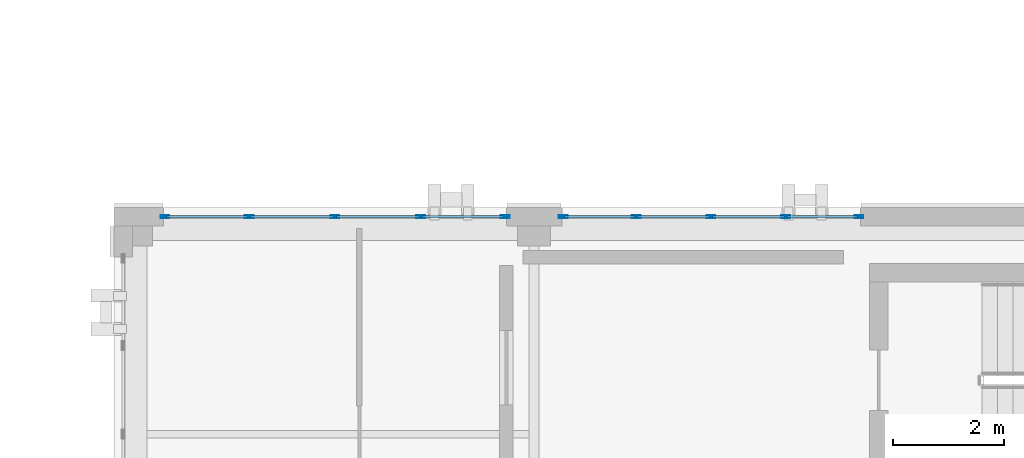
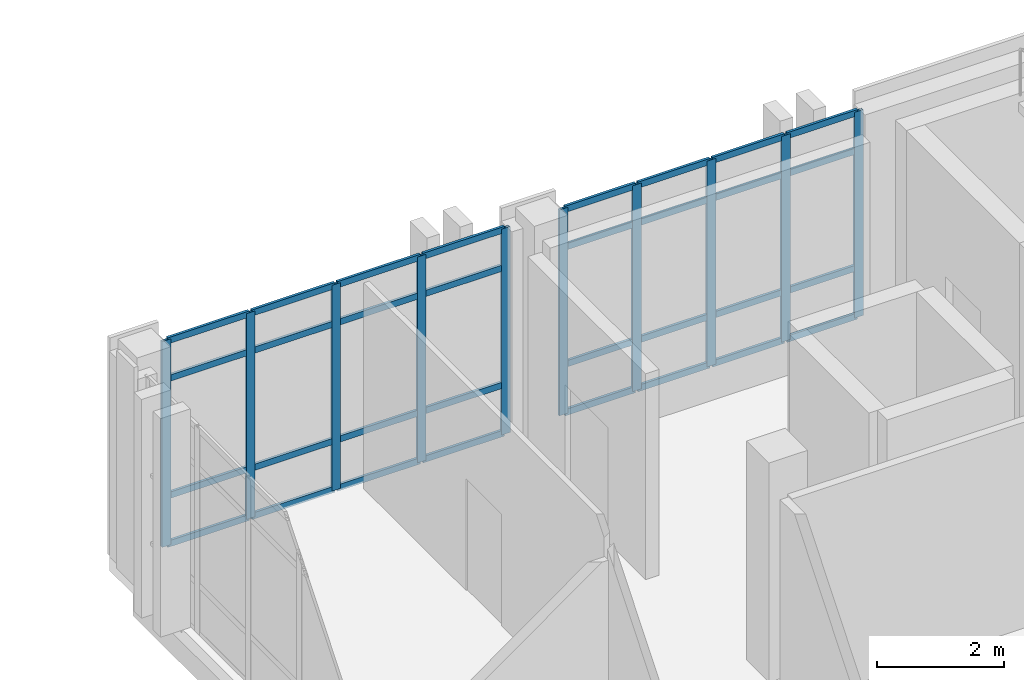
# One storey, part 13 of 22: 42 members, 2 elements without a shape of their own.
"""IFC4 building model written with IfcOpenShell, lengths in metres."""

from ifc_helpers import new_model, si_unit, direction, frame, origin, origin_2d, place, context, subcontext, project, spatial, hollow_rectangle, extrude, material, layer, layer_set, material_profile, profile_set, type_object, element, aggregate, save


model = new_model("IFC4")

# Units and contexts
model_context = context("Model", 3, precision=1e-05, world=origin(), true_north=direction((0.0, 1.0)))
body_context = subcontext(model_context, "Body", "Model", "MODEL_VIEW")
ifc_project = project(units=[si_unit("LENGTHUNIT", "METRE"), si_unit("AREAUNIT", "SQUARE_METRE"), si_unit("VOLUMEUNIT", "CUBIC_METRE"), si_unit("PLANEANGLEUNIT", "RADIAN"), si_unit("MASSUNIT", "GRAM", prefix="KILO")], contexts=[model_context])

# Site, building, storey
site_placement = place(None, origin())
site = spatial("IfcSite", under=ifc_project, at=site_placement, CompositionType="ELEMENT")
building_placement = place(site_placement, origin())
building = spatial("IfcBuilding", under=site, at=building_placement, Name="Qalavern Law Courts", CompositionType="ELEMENT")
storey_placement = place(building_placement, frame((0.0, 0.0, 35.39990234375)))
storey = spatial("IfcBuildingStorey", under=building, at=storey_placement, Name="L08", CompositionType="ELEMENT", Elevation=35.39990234375)

# Curtain wall, members
ifc_material_1 = material(Name="Anodised aluminium and insulated glazing", Category="aluminium")
ifc_layer = layer(ifc_material_1, 0.159912109375)
ifc_layer_set = layer_set([ifc_layer], Name="Anodised aluminium and insulated glazing")
curtain_wall_type = type_object("IfcCurtainWallType", Name="ENV-CW-CHAMB", PredefinedType="USERDEFINED", material=ifc_layer_set)
curtain_wall_1_placement = place(storey_placement, origin())
curtain_wall_1 = element("IfcCurtainWall", 1, at=curtain_wall_1_placement, inside=storey, type_object=curtain_wall_type, Name="V4 unitised curtain wall L08 north 1", ObjectType="UNITISED CURTAIN WALL", PredefinedType="USERDEFINED")
ifc_material_2 = material(Name="Anodised aluminium", Category="aluminium")
ifc_material_profile_1 = material_profile(ifc_material_2, hollow_rectangle(XDim=0.048095703125, YDim=0.159912109375, WallThickness=0.00390625, at=origin_2d()), Name="ALU MULLION 48x160")
ifc_profile_set_1 = profile_set([ifc_material_profile_1], Name="Anodised aluminium")
member_type_1 = type_object("IfcMemberType", Name="ENV-CWM-48x160", PredefinedType="MULLION", material=ifc_profile_set_1)
member_1_placement = place(storey_placement, frame((97.676025390625, 73.030029296875, 0.0), z_axis=(0.0, 0.0, 1.0), x_axis=(0.0, -1.0, 0.0)))
member_1 = element("IfcMember", 2, at=member_1_placement, type_object=member_type_1, Name="CW-04 mullion 1", PredefinedType="MULLION", context=body_context, shape_type="SweptSolid", body=[
    extrude(hollow_rectangle(XDim=0.048095703125, YDim=0.159912109375, WallThickness=0.00390625, at=origin_2d()), origin(), (0.0, 0.0, 1.0), 3.945068359375),
])
member_2_placement = place(storey_placement, frame((96.35009765625, 73.030029296875, 0.0), z_axis=(0.0, 0.0, 1.0), x_axis=(0.0, -1.0, 0.0)))
member_2 = element("IfcMember", 3, at=member_2_placement, type_object=member_type_1, Name="CW-04 mullion 2", PredefinedType="MULLION", context=body_context, shape_type="SweptSolid", body=[
    extrude(hollow_rectangle(XDim=0.048095703125, YDim=0.159912109375, WallThickness=0.00390625, at=origin_2d()), origin(), (0.0, 0.0, 1.0), 3.945068359375),
])
member_3_placement = place(storey_placement, frame((95.0, 73.030029296875, 0.0), z_axis=(0.0, 0.0, 1.0), x_axis=(0.0, -1.0, 0.0)))
member_3 = element("IfcMember", 4, at=member_3_placement, type_object=member_type_1, Name="CW-04 mullion 3", PredefinedType="MULLION", context=body_context, shape_type="SweptSolid", body=[
    extrude(hollow_rectangle(XDim=0.048095703125, YDim=0.159912109375, WallThickness=0.00390625, at=origin_2d()), origin(), (0.0, 0.0, 1.0), 3.945068359375),
])
member_4_placement = place(storey_placement, frame((93.64990234375, 73.030029296875, 0.0), z_axis=(0.0, 0.0, 1.0), x_axis=(0.0, -1.0, 0.0)))
member_4 = element("IfcMember", 5, at=member_4_placement, type_object=member_type_1, Name="CW-04 mullion 4", PredefinedType="MULLION", context=body_context, shape_type="SweptSolid", body=[
    extrude(hollow_rectangle(XDim=0.048095703125, YDim=0.159912109375, WallThickness=0.00390625, at=origin_2d()), origin(), (0.0, 0.0, 1.0), 3.945068359375),
])
member_5_placement = place(storey_placement, frame((92.323974609375, 73.030029296875, 0.0), z_axis=(0.0, 0.0, 1.0), x_axis=(0.0, -1.0, 0.0)))
member_5 = element("IfcMember", 6, at=member_5_placement, type_object=member_type_1, Name="CW-04 mullion 5", PredefinedType="MULLION", context=body_context, shape_type="SweptSolid", body=[
    extrude(hollow_rectangle(XDim=0.048095703125, YDim=0.159912109375, WallThickness=0.00390625, at=origin_2d()), origin(), (0.0, 0.0, 1.0), 3.945068359375),
])

curtain_wall_2_placement = place(storey_placement, origin())
curtain_wall_2 = element("IfcCurtainWall", 7, at=curtain_wall_2_placement, inside=storey, type_object=curtain_wall_type, Name="V4 unitised curtain wall L08 north 2", ObjectType="UNITISED CURTAIN WALL", PredefinedType="USERDEFINED")
member_6_placement = place(storey_placement, frame((91.27587890625, 73.030029296875, 0.0), z_axis=(0.0, 0.0, 1.0), x_axis=(0.0, -1.0, 0.0)))
member_6 = element("IfcMember", 8, at=member_6_placement, type_object=member_type_1, Name="CW-04 mullion 1", PredefinedType="MULLION", context=body_context, shape_type="SweptSolid", body=[
    extrude(hollow_rectangle(XDim=0.048095703125, YDim=0.159912109375, WallThickness=0.00390625, at=origin_2d()), origin(), (0.0, 0.0, 1.0), 3.945068359375),
])
member_7_placement = place(storey_placement, frame((89.75, 73.030029296875, 0.0), z_axis=(0.0, 0.0, 1.0), x_axis=(0.0, -1.0, 0.0)))
member_7 = element("IfcMember", 9, at=member_7_placement, type_object=member_type_1, Name="CW-04 mullion 2", PredefinedType="MULLION", context=body_context, shape_type="SweptSolid", body=[
    extrude(hollow_rectangle(XDim=0.048095703125, YDim=0.159912109375, WallThickness=0.00390625, at=origin_2d()), origin(), (0.0, 0.0, 1.0), 3.945068359375),
])
member_8_placement = place(storey_placement, frame((88.199951171875, 73.030029296875, 0.0), z_axis=(0.0, 0.0, 1.0), x_axis=(0.0, -1.0, 0.0)))
member_8 = element("IfcMember", 10, at=member_8_placement, type_object=member_type_1, Name="CW-04 mullion 3", PredefinedType="MULLION", context=body_context, shape_type="SweptSolid", body=[
    extrude(hollow_rectangle(XDim=0.048095703125, YDim=0.159912109375, WallThickness=0.00390625, at=origin_2d()), origin(), (0.0, 0.0, 1.0), 3.945068359375),
])
member_9_placement = place(storey_placement, frame((86.64990234375, 73.030029296875, 0.0), z_axis=(0.0, 0.0, 1.0), x_axis=(0.0, -1.0, 0.0)))
member_9 = element("IfcMember", 11, at=member_9_placement, type_object=member_type_1, Name="CW-04 mullion 4", PredefinedType="MULLION", context=body_context, shape_type="SweptSolid", body=[
    extrude(hollow_rectangle(XDim=0.048095703125, YDim=0.159912109375, WallThickness=0.00390625, at=origin_2d()), origin(), (0.0, 0.0, 1.0), 3.945068359375),
])
member_10_placement = place(storey_placement, frame((85.1240234375, 73.030029296875, 0.0), z_axis=(0.0, 0.0, 1.0), x_axis=(0.0, -1.0, 0.0)))
member_10 = element("IfcMember", 12, at=member_10_placement, type_object=member_type_1, Name="CW-04 mullion 5", PredefinedType="MULLION", context=body_context, shape_type="SweptSolid", body=[
    extrude(hollow_rectangle(XDim=0.048095703125, YDim=0.159912109375, WallThickness=0.00390625, at=origin_2d()), origin(), (0.0, 0.0, 1.0), 3.945068359375),
])

# Member
ifc_material_profile_2 = material_profile(ifc_material_2, hollow_rectangle(XDim=0.048095703125, YDim=0.1201171875, WallThickness=0.00390625, at=origin_2d()), Name="ALU TRANSOM 48x120")
ifc_profile_set_2 = profile_set([ifc_material_profile_2], Name="Anodised aluminium")
member_type_2 = type_object("IfcMemberType", Name="ENV-CWT-48x120", PredefinedType="USERDEFINED", material=ifc_profile_set_2)
member_11_placement = place(storey_placement, frame((97.652099609375, 73.030029296875, 0.024169921875), z_axis=(-1.0, 0.0, 0.0), x_axis=(0.0, -1.0, 0.0)))
member_11 = element("IfcMember", 13, at=member_11_placement, type_object=member_type_2, Name="CW-04 transom 1.1", ObjectType="TRANSOM", PredefinedType="USERDEFINED", context=body_context, shape_type="SweptSolid", body=[
    extrude(hollow_rectangle(XDim=0.048095703125, YDim=0.1201171875, WallThickness=0.00390625, at=origin_2d()), origin(), (0.0, 0.0, 1.0), 1.278076171875),
])

member_12_placement = place(storey_placement, frame((97.652099609375, 73.030029296875, 0.9501953125), z_axis=(-1.0, 0.0, 0.0), x_axis=(0.0, -1.0, 0.0)))
member_12 = element("IfcMember", 14, at=member_12_placement, type_object=member_type_2, Name="CW-04 transom 1.2", ObjectType="TRANSOM", PredefinedType="USERDEFINED", context=body_context, shape_type="SweptSolid", body=[
    extrude(hollow_rectangle(XDim=0.048095703125, YDim=0.1201171875, WallThickness=0.00390625, at=origin_2d()), origin(), (0.0, 0.0, 1.0), 1.278076171875),
])

member_13_placement = place(storey_placement, frame((97.652099609375, 73.030029296875, 3.195068359375), z_axis=(-1.0, 0.0, 0.0), x_axis=(0.0, -1.0, 0.0)))
member_13 = element("IfcMember", 15, at=member_13_placement, type_object=member_type_2, Name="CW-04 transom 1.3", ObjectType="TRANSOM", PredefinedType="USERDEFINED", context=body_context, shape_type="SweptSolid", body=[
    extrude(hollow_rectangle(XDim=0.048095703125, YDim=0.1201171875, WallThickness=0.00390625, at=origin_2d()), origin(), (0.0, 0.0, 1.0), 1.278076171875),
])

member_14_placement = place(storey_placement, frame((97.652099609375, 73.030029296875, 3.921142578125), z_axis=(-1.0, 0.0, 0.0), x_axis=(0.0, -1.0, 0.0)))
member_14 = element("IfcMember", 16, at=member_14_placement, type_object=member_type_2, Name="CW-04 transom 1.4", ObjectType="TRANSOM", PredefinedType="USERDEFINED", context=body_context, shape_type="SweptSolid", body=[
    extrude(hollow_rectangle(XDim=0.048095703125, YDim=0.1201171875, WallThickness=0.00390625, at=origin_2d()), origin(), (0.0, 0.0, 1.0), 1.278076171875),
])

member_15_placement = place(storey_placement, frame((96.325927734375, 73.030029296875, 0.024169921875), z_axis=(-1.0, 0.0, 0.0), x_axis=(0.0, -1.0, 0.0)))
member_15 = element("IfcMember", 17, at=member_15_placement, type_object=member_type_2, Name="CW-04 transom 2.1", ObjectType="TRANSOM", PredefinedType="USERDEFINED", context=body_context, shape_type="SweptSolid", body=[
    extrude(hollow_rectangle(XDim=0.048095703125, YDim=0.1201171875, WallThickness=0.00390625, at=origin_2d()), origin(), (0.0, 0.0, 1.0), 1.302001953125),
])

member_16_placement = place(storey_placement, frame((96.325927734375, 73.030029296875, 0.9501953125), z_axis=(-1.0, 0.0, 0.0), x_axis=(0.0, -1.0, 0.0)))
member_16 = element("IfcMember", 18, at=member_16_placement, type_object=member_type_2, Name="CW-04 transom 2.2", ObjectType="TRANSOM", PredefinedType="USERDEFINED", context=body_context, shape_type="SweptSolid", body=[
    extrude(hollow_rectangle(XDim=0.048095703125, YDim=0.1201171875, WallThickness=0.00390625, at=origin_2d()), origin(), (0.0, 0.0, 1.0), 1.302001953125),
])

member_17_placement = place(storey_placement, frame((96.325927734375, 73.030029296875, 3.195068359375), z_axis=(-1.0, 0.0, 0.0), x_axis=(0.0, -1.0, 0.0)))
member_17 = element("IfcMember", 19, at=member_17_placement, type_object=member_type_2, Name="CW-04 transom 2.3", ObjectType="TRANSOM", PredefinedType="USERDEFINED", context=body_context, shape_type="SweptSolid", body=[
    extrude(hollow_rectangle(XDim=0.048095703125, YDim=0.1201171875, WallThickness=0.00390625, at=origin_2d()), origin(), (0.0, 0.0, 1.0), 1.302001953125),
])

member_18_placement = place(storey_placement, frame((96.325927734375, 73.030029296875, 3.921142578125), z_axis=(-1.0, 0.0, 0.0), x_axis=(0.0, -1.0, 0.0)))
member_18 = element("IfcMember", 20, at=member_18_placement, type_object=member_type_2, Name="CW-04 transom 2.4", ObjectType="TRANSOM", PredefinedType="USERDEFINED", context=body_context, shape_type="SweptSolid", body=[
    extrude(hollow_rectangle(XDim=0.048095703125, YDim=0.1201171875, WallThickness=0.00390625, at=origin_2d()), origin(), (0.0, 0.0, 1.0), 1.302001953125),
])

member_19_placement = place(storey_placement, frame((94.97607421875, 73.030029296875, 0.024169921875), z_axis=(-1.0, 0.0, 0.0), x_axis=(0.0, -1.0, 0.0)))
member_19 = element("IfcMember", 21, at=member_19_placement, type_object=member_type_2, Name="CW-04 transom 3.1", ObjectType="TRANSOM", PredefinedType="USERDEFINED", context=body_context, shape_type="SweptSolid", body=[
    extrude(hollow_rectangle(XDim=0.048095703125, YDim=0.1201171875, WallThickness=0.00390625, at=origin_2d()), origin(), (0.0, 0.0, 1.0), 1.302001953125),
])

member_20_placement = place(storey_placement, frame((94.97607421875, 73.030029296875, 0.9501953125), z_axis=(-1.0, 0.0, 0.0), x_axis=(0.0, -1.0, 0.0)))
member_20 = element("IfcMember", 22, at=member_20_placement, type_object=member_type_2, Name="CW-04 transom 3.2", ObjectType="TRANSOM", PredefinedType="USERDEFINED", context=body_context, shape_type="SweptSolid", body=[
    extrude(hollow_rectangle(XDim=0.048095703125, YDim=0.1201171875, WallThickness=0.00390625, at=origin_2d()), origin(), (0.0, 0.0, 1.0), 1.302001953125),
])

member_21_placement = place(storey_placement, frame((94.97607421875, 73.030029296875, 3.195068359375), z_axis=(-1.0, 0.0, 0.0), x_axis=(0.0, -1.0, 0.0)))
member_21 = element("IfcMember", 23, at=member_21_placement, type_object=member_type_2, Name="CW-04 transom 3.3", ObjectType="TRANSOM", PredefinedType="USERDEFINED", context=body_context, shape_type="SweptSolid", body=[
    extrude(hollow_rectangle(XDim=0.048095703125, YDim=0.1201171875, WallThickness=0.00390625, at=origin_2d()), origin(), (0.0, 0.0, 1.0), 1.302001953125),
])

member_22_placement = place(storey_placement, frame((94.97607421875, 73.030029296875, 3.921142578125), z_axis=(-1.0, 0.0, 0.0), x_axis=(0.0, -1.0, 0.0)))
member_22 = element("IfcMember", 24, at=member_22_placement, type_object=member_type_2, Name="CW-04 transom 3.4", ObjectType="TRANSOM", PredefinedType="USERDEFINED", context=body_context, shape_type="SweptSolid", body=[
    extrude(hollow_rectangle(XDim=0.048095703125, YDim=0.1201171875, WallThickness=0.00390625, at=origin_2d()), origin(), (0.0, 0.0, 1.0), 1.302001953125),
])

member_23_placement = place(storey_placement, frame((93.6259765625, 73.030029296875, 0.024169921875), z_axis=(-1.0, 0.0, 0.0), x_axis=(0.0, -1.0, 0.0)))
member_23 = element("IfcMember", 25, at=member_23_placement, type_object=member_type_2, Name="CW-04 transom 4.1", ObjectType="TRANSOM", PredefinedType="USERDEFINED", context=body_context, shape_type="SweptSolid", body=[
    extrude(hollow_rectangle(XDim=0.048095703125, YDim=0.1201171875, WallThickness=0.00390625, at=origin_2d()), origin(), (0.0, 0.0, 1.0), 1.278076171875),
])

member_24_placement = place(storey_placement, frame((93.6259765625, 73.030029296875, 0.9501953125), z_axis=(-1.0, 0.0, 0.0), x_axis=(0.0, -1.0, 0.0)))
member_24 = element("IfcMember", 26, at=member_24_placement, type_object=member_type_2, Name="CW-04 transom 4.2", ObjectType="TRANSOM", PredefinedType="USERDEFINED", context=body_context, shape_type="SweptSolid", body=[
    extrude(hollow_rectangle(XDim=0.048095703125, YDim=0.1201171875, WallThickness=0.00390625, at=origin_2d()), origin(), (0.0, 0.0, 1.0), 1.278076171875),
])

member_25_placement = place(storey_placement, frame((93.6259765625, 73.030029296875, 3.195068359375), z_axis=(-1.0, 0.0, 0.0), x_axis=(0.0, -1.0, 0.0)))
member_25 = element("IfcMember", 27, at=member_25_placement, type_object=member_type_2, Name="CW-04 transom 4.3", ObjectType="TRANSOM", PredefinedType="USERDEFINED", context=body_context, shape_type="SweptSolid", body=[
    extrude(hollow_rectangle(XDim=0.048095703125, YDim=0.1201171875, WallThickness=0.00390625, at=origin_2d()), origin(), (0.0, 0.0, 1.0), 1.278076171875),
])

member_26_placement = place(storey_placement, frame((93.6259765625, 73.030029296875, 3.921142578125), z_axis=(-1.0, 0.0, 0.0), x_axis=(0.0, -1.0, 0.0)))
member_26 = element("IfcMember", 28, at=member_26_placement, type_object=member_type_2, Name="CW-04 transom 4.4", ObjectType="TRANSOM", PredefinedType="USERDEFINED", context=body_context, shape_type="SweptSolid", body=[
    extrude(hollow_rectangle(XDim=0.048095703125, YDim=0.1201171875, WallThickness=0.00390625, at=origin_2d()), origin(), (0.0, 0.0, 1.0), 1.278076171875),
])

aggregate(curtain_wall_1, [member_1, member_2, member_3, member_4, member_5, member_11, member_12, member_13, member_14, member_15, member_16, member_17, member_18, member_19, member_20, member_21, member_22, member_23, member_24, member_25, member_26])

member_27_placement = place(storey_placement, frame((91.251953125, 73.030029296875, 0.024169921875), z_axis=(-1.0, 0.0, 0.0), x_axis=(0.0, -1.0, 0.0)))
member_27 = element("IfcMember", 29, at=member_27_placement, type_object=member_type_2, Name="CW-04 transom 1.1", ObjectType="TRANSOM", PredefinedType="USERDEFINED", context=body_context, shape_type="SweptSolid", body=[
    extrude(hollow_rectangle(XDim=0.048095703125, YDim=0.1201171875, WallThickness=0.00390625, at=origin_2d()), origin(), (0.0, 0.0, 1.0), 1.47802734375),
])

member_28_placement = place(storey_placement, frame((91.251953125, 73.030029296875, 0.9501953125), z_axis=(-1.0, 0.0, 0.0), x_axis=(0.0, -1.0, 0.0)))
member_28 = element("IfcMember", 30, at=member_28_placement, type_object=member_type_2, Name="CW-04 transom 1.2", ObjectType="TRANSOM", PredefinedType="USERDEFINED", context=body_context, shape_type="SweptSolid", body=[
    extrude(hollow_rectangle(XDim=0.048095703125, YDim=0.1201171875, WallThickness=0.00390625, at=origin_2d()), origin(), (0.0, 0.0, 1.0), 1.47802734375),
])

member_29_placement = place(storey_placement, frame((91.251953125, 73.030029296875, 3.195068359375), z_axis=(-1.0, 0.0, 0.0), x_axis=(0.0, -1.0, 0.0)))
member_29 = element("IfcMember", 31, at=member_29_placement, type_object=member_type_2, Name="CW-04 transom 1.3", ObjectType="TRANSOM", PredefinedType="USERDEFINED", context=body_context, shape_type="SweptSolid", body=[
    extrude(hollow_rectangle(XDim=0.048095703125, YDim=0.1201171875, WallThickness=0.00390625, at=origin_2d()), origin(), (0.0, 0.0, 1.0), 1.47802734375),
])

member_30_placement = place(storey_placement, frame((91.251953125, 73.030029296875, 3.921142578125), z_axis=(-1.0, 0.0, 0.0), x_axis=(0.0, -1.0, 0.0)))
member_30 = element("IfcMember", 32, at=member_30_placement, type_object=member_type_2, Name="CW-04 transom 1.4", ObjectType="TRANSOM", PredefinedType="USERDEFINED", context=body_context, shape_type="SweptSolid", body=[
    extrude(hollow_rectangle(XDim=0.048095703125, YDim=0.1201171875, WallThickness=0.00390625, at=origin_2d()), origin(), (0.0, 0.0, 1.0), 1.47802734375),
])

member_31_placement = place(storey_placement, frame((89.72607421875, 73.030029296875, 0.024169921875), z_axis=(-1.0, 0.0, 0.0), x_axis=(0.0, -1.0, 0.0)))
member_31 = element("IfcMember", 33, at=member_31_placement, type_object=member_type_2, Name="CW-04 transom 2.1", ObjectType="TRANSOM", PredefinedType="USERDEFINED", context=body_context, shape_type="SweptSolid", body=[
    extrude(hollow_rectangle(XDim=0.048095703125, YDim=0.1201171875, WallThickness=0.00390625, at=origin_2d()), origin(), (0.0, 0.0, 1.0), 1.501953125),
])

member_32_placement = place(storey_placement, frame((89.72607421875, 73.030029296875, 0.9501953125), z_axis=(-1.0, 0.0, 0.0), x_axis=(0.0, -1.0, 0.0)))
member_32 = element("IfcMember", 34, at=member_32_placement, type_object=member_type_2, Name="CW-04 transom 2.2", ObjectType="TRANSOM", PredefinedType="USERDEFINED", context=body_context, shape_type="SweptSolid", body=[
    extrude(hollow_rectangle(XDim=0.048095703125, YDim=0.1201171875, WallThickness=0.00390625, at=origin_2d()), origin(), (0.0, 0.0, 1.0), 1.501953125),
])

member_33_placement = place(storey_placement, frame((89.72607421875, 73.030029296875, 3.195068359375), z_axis=(-1.0, 0.0, 0.0), x_axis=(0.0, -1.0, 0.0)))
member_33 = element("IfcMember", 35, at=member_33_placement, type_object=member_type_2, Name="CW-04 transom 2.3", ObjectType="TRANSOM", PredefinedType="USERDEFINED", context=body_context, shape_type="SweptSolid", body=[
    extrude(hollow_rectangle(XDim=0.048095703125, YDim=0.1201171875, WallThickness=0.00390625, at=origin_2d()), origin(), (0.0, 0.0, 1.0), 1.501953125),
])

member_34_placement = place(storey_placement, frame((89.72607421875, 73.030029296875, 3.921142578125), z_axis=(-1.0, 0.0, 0.0), x_axis=(0.0, -1.0, 0.0)))
member_34 = element("IfcMember", 36, at=member_34_placement, type_object=member_type_2, Name="CW-04 transom 2.4", ObjectType="TRANSOM", PredefinedType="USERDEFINED", context=body_context, shape_type="SweptSolid", body=[
    extrude(hollow_rectangle(XDim=0.048095703125, YDim=0.1201171875, WallThickness=0.00390625, at=origin_2d()), origin(), (0.0, 0.0, 1.0), 1.501953125),
])

member_35_placement = place(storey_placement, frame((88.176025390625, 73.030029296875, 0.024169921875), z_axis=(-1.0, 0.0, 0.0), x_axis=(0.0, -1.0, 0.0)))
member_35 = element("IfcMember", 37, at=member_35_placement, type_object=member_type_2, Name="CW-04 transom 3.1", ObjectType="TRANSOM", PredefinedType="USERDEFINED", context=body_context, shape_type="SweptSolid", body=[
    extrude(hollow_rectangle(XDim=0.048095703125, YDim=0.1201171875, WallThickness=0.00390625, at=origin_2d()), origin(), (0.0, 0.0, 1.0), 1.501953125),
])

member_36_placement = place(storey_placement, frame((88.176025390625, 73.030029296875, 0.9501953125), z_axis=(-1.0, 0.0, 0.0), x_axis=(0.0, -1.0, 0.0)))
member_36 = element("IfcMember", 38, at=member_36_placement, type_object=member_type_2, Name="CW-04 transom 3.2", ObjectType="TRANSOM", PredefinedType="USERDEFINED", context=body_context, shape_type="SweptSolid", body=[
    extrude(hollow_rectangle(XDim=0.048095703125, YDim=0.1201171875, WallThickness=0.00390625, at=origin_2d()), origin(), (0.0, 0.0, 1.0), 1.501953125),
])

member_37_placement = place(storey_placement, frame((88.176025390625, 73.030029296875, 3.195068359375), z_axis=(-1.0, 0.0, 0.0), x_axis=(0.0, -1.0, 0.0)))
member_37 = element("IfcMember", 39, at=member_37_placement, type_object=member_type_2, Name="CW-04 transom 3.3", ObjectType="TRANSOM", PredefinedType="USERDEFINED", context=body_context, shape_type="SweptSolid", body=[
    extrude(hollow_rectangle(XDim=0.048095703125, YDim=0.1201171875, WallThickness=0.00390625, at=origin_2d()), origin(), (0.0, 0.0, 1.0), 1.501953125),
])

member_38_placement = place(storey_placement, frame((88.176025390625, 73.030029296875, 3.921142578125), z_axis=(-1.0, 0.0, 0.0), x_axis=(0.0, -1.0, 0.0)))
member_38 = element("IfcMember", 40, at=member_38_placement, type_object=member_type_2, Name="CW-04 transom 3.4", ObjectType="TRANSOM", PredefinedType="USERDEFINED", context=body_context, shape_type="SweptSolid", body=[
    extrude(hollow_rectangle(XDim=0.048095703125, YDim=0.1201171875, WallThickness=0.00390625, at=origin_2d()), origin(), (0.0, 0.0, 1.0), 1.501953125),
])

member_39_placement = place(storey_placement, frame((86.6259765625, 73.030029296875, 0.024169921875), z_axis=(-1.0, 0.0, 0.0), x_axis=(0.0, -1.0, 0.0)))
member_39 = element("IfcMember", 41, at=member_39_placement, type_object=member_type_2, Name="CW-04 transom 4.1", ObjectType="TRANSOM", PredefinedType="USERDEFINED", context=body_context, shape_type="SweptSolid", body=[
    extrude(hollow_rectangle(XDim=0.048095703125, YDim=0.1201171875, WallThickness=0.00390625, at=origin_2d()), origin(), (0.0, 0.0, 1.0), 1.47802734375),
])

member_40_placement = place(storey_placement, frame((86.6259765625, 73.030029296875, 0.9501953125), z_axis=(-1.0, 0.0, 0.0), x_axis=(0.0, -1.0, 0.0)))
member_40 = element("IfcMember", 42, at=member_40_placement, type_object=member_type_2, Name="CW-04 transom 4.2", ObjectType="TRANSOM", PredefinedType="USERDEFINED", context=body_context, shape_type="SweptSolid", body=[
    extrude(hollow_rectangle(XDim=0.048095703125, YDim=0.1201171875, WallThickness=0.00390625, at=origin_2d()), origin(), (0.0, 0.0, 1.0), 1.47802734375),
])

member_41_placement = place(storey_placement, frame((86.6259765625, 73.030029296875, 3.195068359375), z_axis=(-1.0, 0.0, 0.0), x_axis=(0.0, -1.0, 0.0)))
member_41 = element("IfcMember", 43, at=member_41_placement, type_object=member_type_2, Name="CW-04 transom 4.3", ObjectType="TRANSOM", PredefinedType="USERDEFINED", context=body_context, shape_type="SweptSolid", body=[
    extrude(hollow_rectangle(XDim=0.048095703125, YDim=0.1201171875, WallThickness=0.00390625, at=origin_2d()), origin(), (0.0, 0.0, 1.0), 1.47802734375),
])

member_42_placement = place(storey_placement, frame((86.6259765625, 73.030029296875, 3.921142578125), z_axis=(-1.0, 0.0, 0.0), x_axis=(0.0, -1.0, 0.0)))
member_42 = element("IfcMember", 44, at=member_42_placement, type_object=member_type_2, Name="CW-04 transom 4.4", ObjectType="TRANSOM", PredefinedType="USERDEFINED", context=body_context, shape_type="SweptSolid", body=[
    extrude(hollow_rectangle(XDim=0.048095703125, YDim=0.1201171875, WallThickness=0.00390625, at=origin_2d()), origin(), (0.0, 0.0, 1.0), 1.47802734375),
])

aggregate(curtain_wall_2, [member_6, member_7, member_8, member_9, member_10, member_27, member_28, member_29, member_30, member_31, member_32, member_33, member_34, member_35, member_36, member_37, member_38, member_39, member_40, member_41, member_42])

save(model, "model.ifc")
